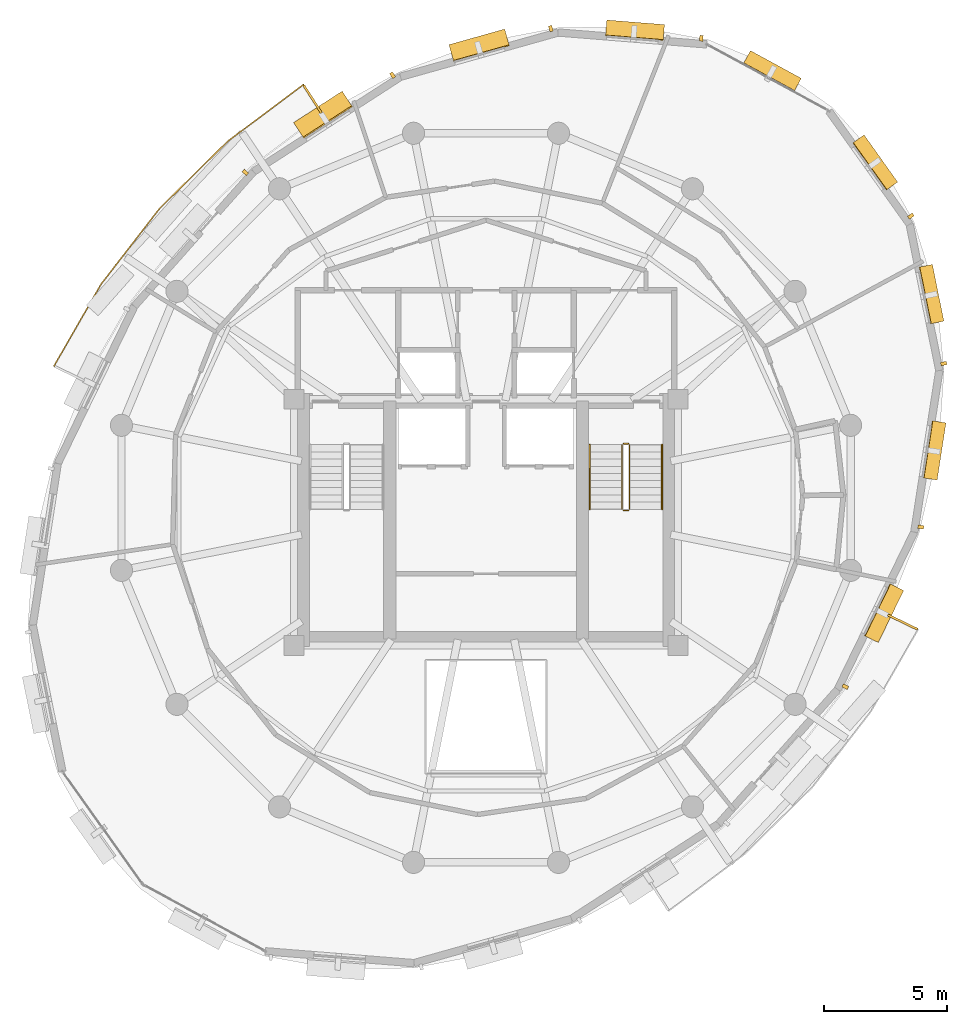
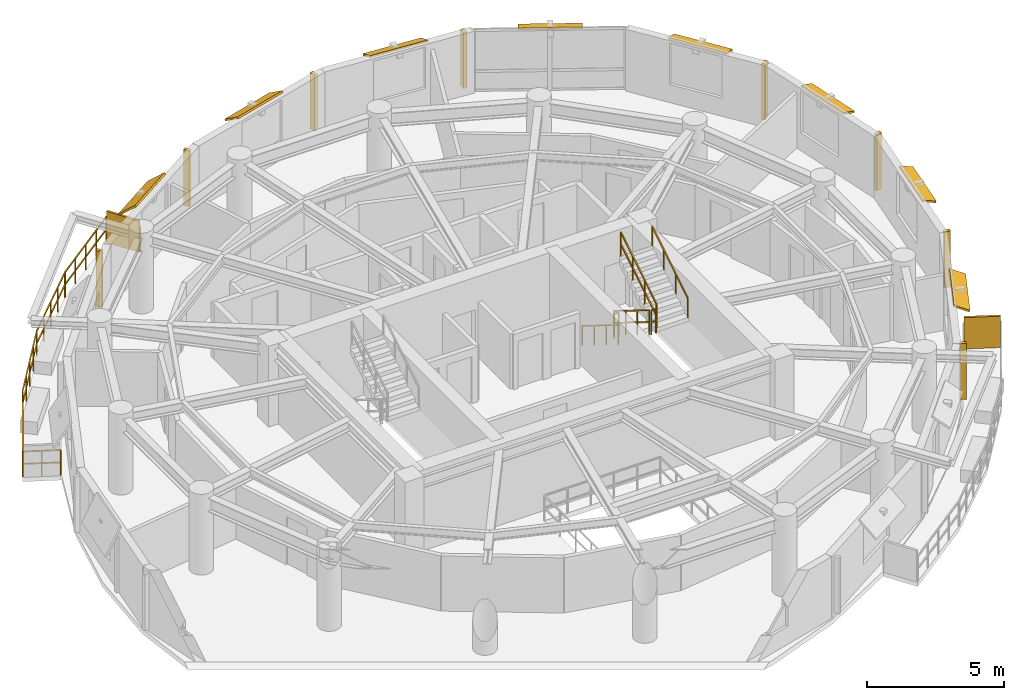
# One storey, part 11 of 11: 18 shading devices, 7 railings.
"""IFC4 building model written with IfcOpenShell, lengths in metres."""

from ifc_helpers import new_model, si_unit, direction, frame, origin, origin_2d, place, context, subcontext, project, spatial, rectangle, extrude, material, layer, layer_set, type_object, element, save


model = new_model("IFC4")

# Units and contexts
model_context = context("Model", 3, precision=1e-05, world=origin(), true_north=direction((0.0, 1.0)))
body_context = subcontext(model_context, "Body", "Model", "MODEL_VIEW")
ifc_project = project(units=[si_unit("LENGTHUNIT", "METRE"), si_unit("AREAUNIT", "SQUARE_METRE"), si_unit("VOLUMEUNIT", "CUBIC_METRE"), si_unit("PLANEANGLEUNIT", "RADIAN"), si_unit("MASSUNIT", "GRAM", prefix="KILO"), si_unit("THERMODYNAMICTEMPERATUREUNIT", "KELVIN"), si_unit("POWERUNIT", "WATT")], contexts=[model_context])

# Site, building, storey
site_placement = place(None, origin())
site = spatial("IfcSite", under=ifc_project, at=site_placement, CompositionType="ELEMENT")
building_placement = place(site_placement, origin())
building = spatial("IfcBuilding", under=site, at=building_placement, Name="Ocrelia Relay Tower", CompositionType="ELEMENT")
storey_placement = place(building_placement, frame((0.0, 0.0, 234.0)))
storey = spatial("IfcBuildingStorey", under=building, at=storey_placement, Name="L57", CompositionType="ELEMENT", Elevation=234.0)

# Railings
ifc_material_1 = material(Name="Steel S355 balustrade", Category="steel")
railing_type_1 = type_object("IfcRailingType", Name="RL-EXT-GUARD-1150", PredefinedType="GUARDRAIL", material=ifc_material_1)
railing_1_placement = place(storey_placement, frame((17.70068359375, 30.74609375, 0.0)))
element("IfcRailing", 1, at=railing_1_placement, inside=storey, type_object=railing_type_1, Name="L57 Loggia Balcony Guard Rail B1", PredefinedType="GUARDRAIL", context=body_context, shape_type="SweptSolid", body=[
    extrude(rectangle(XDim=0.048095703125, YDim=0.048095703125, at=origin_2d()), frame((0.0, 0.0, 1.1259765625), z_axis=(-0.899793261261, 0.436316498645, 0.0), x_axis=(-0.436316498645, -0.899793261261, 0.0)), (0.0, 0.0, 1.0), 1.393310546875),
    extrude(rectangle(XDim=0.048095703125, YDim=0.048095703125, at=origin_2d()), frame((0.0, 0.0, 0.574951171875), z_axis=(-0.899793261261, 0.436316498645, 0.0), x_axis=(-0.436316498645, -0.899793261261, 0.0)), (0.0, 0.0, 1.0), 1.393310546875),
    extrude(rectangle(XDim=0.048095703125, YDim=0.048095703125, at=origin_2d()), frame((-1.253662109375, 0.60791015625, 1.1259765625), z_axis=(0.498518886145, 0.866878838222, 0.0), x_axis=(-0.866878838222, 0.498518886145, 0.0)), (0.0, 0.0, 1.0), 1.920654296875),
    extrude(rectangle(XDim=0.048095703125, YDim=0.048095703125, at=origin_2d()), frame((-1.253662109375, 0.60791015625, 0.574951171875), z_axis=(0.498518886145, 0.866878838222, 0.0), x_axis=(-0.866878838222, 0.498518886145, 0.0)), (0.0, 0.0, 1.0), 1.920654296875),
    extrude(rectangle(XDim=0.048095703125, YDim=0.048095703125, at=origin_2d()), frame((-0.296142578125, 2.27294921875, 1.1259765625), z_axis=(0.498614396299, 0.866823905879, 0.0), x_axis=(-0.866823905879, 0.498614396299, 0.0)), (0.0, 0.0, 1.0), 1.9208984375),
    extrude(rectangle(XDim=0.048095703125, YDim=0.048095703125, at=origin_2d()), frame((-0.296142578125, 2.27294921875, 0.574951171875), z_axis=(0.498614396299, 0.866823905879, 0.0), x_axis=(-0.866823905879, 0.498614396299, 0.0)), (0.0, 0.0, 1.0), 1.9208984375),
    extrude(rectangle(XDim=0.048095703125, YDim=0.048095703125, at=origin_2d()), frame((0.66162109375, 3.93798828125, 1.1259765625), z_axis=(0.611569211269, 0.791190937655, 0.0), x_axis=(-0.791190937655, 0.611569211269, 0.0)), (0.0, 0.0, 1.0), 3.8818359375),
    extrude(rectangle(XDim=0.048095703125, YDim=0.048095703125, at=origin_2d()), frame((0.66162109375, 3.93798828125, 0.574951171875), z_axis=(0.611569211269, 0.791190937655, 0.0), x_axis=(-0.791190937655, 0.611569211269, 0.0)), (0.0, 0.0, 1.0), 3.8818359375),
    extrude(rectangle(XDim=0.048095703125, YDim=0.048095703125, at=origin_2d()), frame((3.03564453125, 7.00927734375, 1.1259765625), z_axis=(0.7119953063, 0.702184223553, 0.0), x_axis=(-0.702184223553, 0.7119953063, 0.0)), (0.0, 0.0, 1.0), 3.8818359375),
    extrude(rectangle(XDim=0.048095703125, YDim=0.048095703125, at=origin_2d()), frame((3.03564453125, 7.00927734375, 0.574951171875), z_axis=(0.7119953063, 0.702184223553, 0.0), x_axis=(-0.702184223553, 0.7119953063, 0.0)), (0.0, 0.0, 1.0), 3.8818359375),
    extrude(rectangle(XDim=0.048095703125, YDim=0.048095703125, at=origin_2d()), frame((5.799560546875, 9.735107421875, 1.1259765625), z_axis=(0.800685887632, 0.599084392508, 0.0), x_axis=(-0.599084392508, 0.800685887632, 0.0)), (0.0, 0.0, 1.0), 1.920654296875),
    extrude(rectangle(XDim=0.048095703125, YDim=0.048095703125, at=origin_2d()), frame((5.799560546875, 9.735107421875, 0.574951171875), z_axis=(0.800685887632, 0.599084392508, 0.0), x_axis=(-0.599084392508, 0.800685887632, 0.0)), (0.0, 0.0, 1.0), 1.920654296875),
    extrude(rectangle(XDim=0.048095703125, YDim=0.048095703125, at=origin_2d()), frame((7.33740234375, 10.8857421875, 1.1259765625), z_axis=(0.800624914682, 0.599165875188, 0.0), x_axis=(-0.599165875188, 0.800624914682, 0.0)), (0.0, 0.0, 1.0), 1.9208984375),
    extrude(rectangle(XDim=0.048095703125, YDim=0.048095703125, at=origin_2d()), frame((7.33740234375, 10.8857421875, 0.574951171875), z_axis=(0.800624914682, 0.599165875188, 0.0), x_axis=(-0.599165875188, 0.800624914682, 0.0)), (0.0, 0.0, 1.0), 1.9208984375),
    extrude(rectangle(XDim=0.048095703125, YDim=0.048095703125, at=origin_2d()), frame((8.875244140625, 12.03662109375, 1.1259765625), z_axis=(0.541244565297, -0.840865221386, 0.0), x_axis=(0.840865221386, 0.541244565297, 0.0)), (0.0, 0.0, 1.0), 1.393310546875),
    extrude(rectangle(XDim=0.048095703125, YDim=0.048095703125, at=origin_2d()), frame((8.875244140625, 12.03662109375, 0.574951171875), z_axis=(0.541244565297, -0.840865221386, 0.0), x_axis=(0.840865221386, 0.541244565297, 0.0)), (0.0, 0.0, 1.0), 1.393310546875),
    extrude(rectangle(XDim=0.0419921875, YDim=0.0419921875, at=origin_2d()), origin(), (0.0, 0.0, 1.0), 1.101806640625),
    extrude(rectangle(XDim=0.0419921875, YDim=0.0419921875, at=origin_2d()), frame((-0.626953125, 0.303955078125, 0.0)), (0.0, 0.0, 1.0), 1.101806640625),
    extrude(rectangle(XDim=0.0419921875, YDim=0.0419921875, at=origin_2d()), frame((-1.253662109375, 0.60791015625, 0.0)), (0.0, 0.0, 1.0), 1.101806640625),
    extrude(rectangle(XDim=0.0419921875, YDim=0.0419921875, at=origin_2d()), frame((-0.77490234375, 1.4404296875, 0.0)), (0.0, 0.0, 1.0), 1.101806640625),
    extrude(rectangle(XDim=0.0419921875, YDim=0.0419921875, at=origin_2d()), frame((-0.296142578125, 2.27294921875, 0.0)), (0.0, 0.0, 1.0), 1.101806640625),
    extrude(rectangle(XDim=0.0419921875, YDim=0.0419921875, at=origin_2d()), frame((0.1826171875, 3.10546875, 0.0)), (0.0, 0.0, 1.0), 1.101806640625),
    extrude(rectangle(XDim=0.0419921875, YDim=0.0419921875, at=origin_2d()), frame((0.66162109375, 3.93798828125, 0.0)), (0.0, 0.0, 1.0), 1.101806640625),
    extrude(rectangle(XDim=0.0419921875, YDim=0.0419921875, at=origin_2d()), frame((1.255126953125, 4.705810546875, 0.0)), (0.0, 0.0, 1.0), 1.101806640625),
    extrude(rectangle(XDim=0.0419921875, YDim=0.0419921875, at=origin_2d()), frame((1.8486328125, 5.4736328125, 0.0)), (0.0, 0.0, 1.0), 1.101806640625),
    extrude(rectangle(XDim=0.0419921875, YDim=0.0419921875, at=origin_2d()), frame((2.442138671875, 6.241455078125, 0.0)), (0.0, 0.0, 1.0), 1.101806640625),
    extrude(rectangle(XDim=0.0419921875, YDim=0.0419921875, at=origin_2d()), frame((3.03564453125, 7.00927734375, 0.0)), (0.0, 0.0, 1.0), 1.101806640625),
    extrude(rectangle(XDim=0.0419921875, YDim=0.0419921875, at=origin_2d()), frame((3.7265625, 7.690673828125, 0.0)), (0.0, 0.0, 1.0), 1.101806640625),
    extrude(rectangle(XDim=0.0419921875, YDim=0.0419921875, at=origin_2d()), frame((4.41748046875, 8.3720703125, 0.0)), (0.0, 0.0, 1.0), 1.101806640625),
    extrude(rectangle(XDim=0.0419921875, YDim=0.0419921875, at=origin_2d()), frame((5.108642578125, 9.0537109375, 0.0)), (0.0, 0.0, 1.0), 1.101806640625),
    extrude(rectangle(XDim=0.0419921875, YDim=0.0419921875, at=origin_2d()), frame((5.799560546875, 9.735107421875, 0.0)), (0.0, 0.0, 1.0), 1.101806640625),
    extrude(rectangle(XDim=0.0419921875, YDim=0.0419921875, at=origin_2d()), frame((6.568359375, 10.310546875, 0.0)), (0.0, 0.0, 1.0), 1.101806640625),
    extrude(rectangle(XDim=0.0419921875, YDim=0.0419921875, at=origin_2d()), frame((7.33740234375, 10.8857421875, 0.0)), (0.0, 0.0, 1.0), 1.101806640625),
    extrude(rectangle(XDim=0.0419921875, YDim=0.0419921875, at=origin_2d()), frame((8.1064453125, 11.461181640625, 0.0)), (0.0, 0.0, 1.0), 1.101806640625),
    extrude(rectangle(XDim=0.0419921875, YDim=0.0419921875, at=origin_2d()), frame((8.875244140625, 12.03662109375, 0.0)), (0.0, 0.0, 1.0), 1.101806640625),
    extrude(rectangle(XDim=0.0419921875, YDim=0.0419921875, at=origin_2d()), frame((9.25244140625, 11.45068359375, 0.0)), (0.0, 0.0, 1.0), 1.101806640625),
    extrude(rectangle(XDim=0.0419921875, YDim=0.0419921875, at=origin_2d()), frame((9.62939453125, 10.864990234375, 0.0)), (0.0, 0.0, 1.0), 1.101806640625),
])
railing_type_2 = type_object("IfcRailingType", Name="RL-STAIR-GUARD", PredefinedType="GUARDRAIL", material=ifc_material_1)
railing_2_placement = place(storey_placement, frame((39.530029296875, 28.14990234375, 0.179931640625)))
element("IfcRailing", 2, at=railing_2_placement, inside=storey, type_object=railing_type_2, Name="L57 ST2 stair guard 1", PredefinedType="GUARDRAIL", context=body_context, shape_type="SweptSolid", body=[
    extrude(rectangle(XDim=0.048095703125, YDim=0.048095703125, at=origin_2d()), frame((0.0, 0.0, 1.076171875), z_axis=(0.0, -0.849610693518, 0.52741034258), x_axis=(1.0, 0.0, 0.0)), (0.0, 0.0, 1.0), 3.07177734375),
    extrude(rectangle(XDim=0.048095703125, YDim=0.048095703125, at=origin_2d()), frame((0.0, 0.0, 0.550048828125), z_axis=(0.0, -0.849610693518, 0.52741034258), x_axis=(1.0, 0.0, 0.0)), (0.0, 0.0, 1.0), 3.07177734375),
    extrude(rectangle(XDim=0.0419921875, YDim=0.0419921875, at=origin_2d()), origin(), (0.0, 0.0, 1.0), 1.052001953125),
    extrude(rectangle(XDim=0.0419921875, YDim=0.0419921875, at=origin_2d()), frame((0.0, -0.869873046875, 0.5400390625)), (0.0, 0.0, 1.0), 1.052001953125),
    extrude(rectangle(XDim=0.0419921875, YDim=0.0419921875, at=origin_2d()), frame((0.0, -1.739990234375, 1.080078125)), (0.0, 0.0, 1.0), 1.052001953125),
    extrude(rectangle(XDim=0.0419921875, YDim=0.0419921875, at=origin_2d()), frame((0.0, -2.60986328125, 1.6201171875)), (0.0, 0.0, 1.0), 1.052001953125),
])
railing_3_placement = place(storey_placement, frame((39.580078125, 25.489990234375, 1.800048828125)))
element("IfcRailing", 3, at=railing_3_placement, inside=storey, type_object=railing_type_2, Name="L57 ST2 stair guard 2", PredefinedType="GUARDRAIL", context=body_context, shape_type="SweptSolid", body=[
    extrude(rectangle(XDim=0.048095703125, YDim=0.048095703125, at=origin_2d()), frame((0.0, 0.0, 1.076171875), z_axis=(1.0, 0.0, 0.0), x_axis=(0.0, 1.0, 0.0)), (0.0, 0.0, 1.0), 0.199951171875),
    extrude(rectangle(XDim=0.048095703125, YDim=0.048095703125, at=origin_2d()), frame((0.0, 0.0, 0.550048828125), z_axis=(1.0, 0.0, 0.0), x_axis=(0.0, 1.0, 0.0)), (0.0, 0.0, 1.0), 0.199951171875),
    extrude(rectangle(XDim=0.0419921875, YDim=0.0419921875, at=origin_2d()), origin(), (0.0, 0.0, 1.0), 1.052001953125),
    extrude(rectangle(XDim=0.0419921875, YDim=0.0419921875, at=origin_2d()), frame((0.199951171875, 0.0, 0.0)), (0.0, 0.0, 1.0), 1.052001953125),
])
railing_4_placement = place(storey_placement, frame((39.830078125, 25.5400390625, 1.97998046875)))
element("IfcRailing", 4, at=railing_4_placement, inside=storey, type_object=railing_type_2, Name="L57 ST2 stair guard 3", PredefinedType="GUARDRAIL", context=body_context, shape_type="SweptSolid", body=[
    extrude(rectangle(XDim=0.048095703125, YDim=0.048095703125, at=origin_2d()), frame((0.0, 0.0, 1.076171875), z_axis=(0.0, 0.849610693518, 0.52741034258), x_axis=(-1.0, 0.0, 0.0)), (0.0, 0.0, 1.0), 3.07177734375),
    extrude(rectangle(XDim=0.048095703125, YDim=0.048095703125, at=origin_2d()), frame((0.0, 0.0, 0.550048828125), z_axis=(0.0, 0.849610693518, 0.52741034258), x_axis=(-1.0, 0.0, 0.0)), (0.0, 0.0, 1.0), 3.07177734375),
    extrude(rectangle(XDim=0.0419921875, YDim=0.0419921875, at=origin_2d()), origin(), (0.0, 0.0, 1.0), 1.052001953125),
    extrude(rectangle(XDim=0.0419921875, YDim=0.0419921875, at=origin_2d()), frame((0.0, 0.869873046875, 0.5400390625)), (0.0, 0.0, 1.0), 1.052001953125),
    extrude(rectangle(XDim=0.0419921875, YDim=0.0419921875, at=origin_2d()), frame((0.0, 1.739990234375, 1.080078125)), (0.0, 0.0, 1.0), 1.052001953125),
    extrude(rectangle(XDim=0.0419921875, YDim=0.0419921875, at=origin_2d()), frame((0.0, 2.60986328125, 1.6201171875)), (0.0, 0.0, 1.0), 1.052001953125),
])
railing_5_placement = place(storey_placement, frame((39.580078125, 28.199951171875, 0.0)))
element("IfcRailing", 5, at=railing_5_placement, inside=storey, type_object=railing_type_2, Name="L57 ST2 stair guard 4", PredefinedType="GUARDRAIL", context=body_context, shape_type="SweptSolid", body=[
    extrude(rectangle(XDim=0.048095703125, YDim=0.048095703125, at=origin_2d()), frame((0.0, 0.0, 1.076171875), z_axis=(1.0, 0.0, 0.0), x_axis=(0.0, 1.0, 0.0)), (0.0, 0.0, 1.0), 0.199951171875),
    extrude(rectangle(XDim=0.048095703125, YDim=0.048095703125, at=origin_2d()), frame((0.0, 0.0, 0.550048828125), z_axis=(1.0, 0.0, 0.0), x_axis=(0.0, 1.0, 0.0)), (0.0, 0.0, 1.0), 0.199951171875),
    extrude(rectangle(XDim=0.0419921875, YDim=0.0419921875, at=origin_2d()), origin(), (0.0, 0.0, 1.0), 1.052001953125),
    extrude(rectangle(XDim=0.0419921875, YDim=0.0419921875, at=origin_2d()), frame((0.199951171875, 0.0, 0.0)), (0.0, 0.0, 1.0), 1.052001953125),
])
ifc_material_2 = material(Name="Steel S355 tubular handrail", Category="steel")
railing_type_3 = type_object("IfcRailingType", Name="RL-STAIR-HAND", PredefinedType="HANDRAIL", material=ifc_material_2)
railing_6_placement = place(storey_placement, frame((38.2099609375, 28.14990234375, 0.179931640625)))
element("IfcRailing", 6, at=railing_6_placement, inside=storey, type_object=railing_type_3, Name="L57 ST2 stair handrail 1", PredefinedType="HANDRAIL", context=body_context, shape_type="SweptSolid", body=[
    extrude(rectangle(XDim=0.048095703125, YDim=0.048095703125, at=origin_2d()), frame((0.0, 0.0, 0.8759765625), z_axis=(0.0, -0.849610693518, 0.52741034258), x_axis=(1.0, 0.0, 0.0)), (0.0, 0.0, 1.0), 3.07177734375),
    extrude(rectangle(XDim=0.0419921875, YDim=0.0419921875, at=origin_2d()), origin(), (0.0, 0.0, 1.0), 0.851806640625),
    extrude(rectangle(XDim=0.0419921875, YDim=0.0419921875, at=origin_2d()), frame((0.0, -0.869873046875, 0.5400390625)), (0.0, 0.0, 1.0), 0.851806640625),
    extrude(rectangle(XDim=0.0419921875, YDim=0.0419921875, at=origin_2d()), frame((0.0, -1.739990234375, 1.080078125)), (0.0, 0.0, 1.0), 0.851806640625),
    extrude(rectangle(XDim=0.0419921875, YDim=0.0419921875, at=origin_2d()), frame((0.0, -2.60986328125, 1.6201171875)), (0.0, 0.0, 1.0), 0.851806640625),
])
railing_7_placement = place(storey_placement, frame((41.14990234375, 25.5400390625, 1.97998046875)))
element("IfcRailing", 7, at=railing_7_placement, inside=storey, type_object=railing_type_3, Name="L57 ST2 stair handrail 2", PredefinedType="HANDRAIL", context=body_context, shape_type="SweptSolid", body=[
    extrude(rectangle(XDim=0.048095703125, YDim=0.048095703125, at=origin_2d()), frame((0.0, 0.0, 0.8759765625), z_axis=(0.0, 0.849610693518, 0.52741034258), x_axis=(-1.0, 0.0, 0.0)), (0.0, 0.0, 1.0), 3.07177734375),
    extrude(rectangle(XDim=0.0419921875, YDim=0.0419921875, at=origin_2d()), origin(), (0.0, 0.0, 1.0), 0.851806640625),
    extrude(rectangle(XDim=0.0419921875, YDim=0.0419921875, at=origin_2d()), frame((0.0, 0.869873046875, 0.5400390625)), (0.0, 0.0, 1.0), 0.851806640625),
    extrude(rectangle(XDim=0.0419921875, YDim=0.0419921875, at=origin_2d()), frame((0.0, 1.739990234375, 1.080078125)), (0.0, 0.0, 1.0), 0.851806640625),
    extrude(rectangle(XDim=0.0419921875, YDim=0.0419921875, at=origin_2d()), frame((0.0, 2.60986328125, 1.6201171875)), (0.0, 0.0, 1.0), 0.851806640625),
])

# Shading devices
ifc_material_3 = material(Name="Perforated oxide terracotta solar screen", Category="masonry")
ifc_layer_1 = layer(ifc_material_3, 0.090087890625, Name="Perforated oxide terracotta solar screen")
ifc_layer_set_1 = layer_set([ifc_layer_1], Name="Perforated oxide terracotta solar screen")
shading_device_type_1 = type_object("IfcShadingDeviceType", Name="SH-BALC-SCREEN", PredefinedType="USERDEFINED", material=ifc_layer_set_1)
for number, where, z_axis, x_axis, name in (
    (8, (26.952880859375, 42.19677734375, 0.0), (0.0, 0.0, 1.0), (-0.541247155761, 0.840863553961, 0.0), "L57 Balcony Perforated Terracotta Screen B1-1"),
    (9, (50.92626953125, 20.949951171875, 0.0), (0.0, 0.0, 1.0), (0.899786786798, -0.436329850346, 0.0), "L57 Balcony Perforated Terracotta Screen B2-2"),
):
    element("IfcShadingDevice", number, at=place(storey_placement, frame(where, z_axis=z_axis, x_axis=x_axis)), inside=storey, type_object=shading_device_type_1, Name=name, ObjectType="SCREEN", PredefinedType="USERDEFINED", context=body_context, shape_type="SweptSolid", body=[
        extrude(rectangle(XDim=1.340087890625, YDim=0.090087890625, at=origin_2d()), origin(), (0.0, 0.0, 1.0), 1.39990234375),
    ])
ifc_material_4 = material(Name="Extruded oxide terracotta vertical baguette", Category="masonry")
shading_device_type_2 = type_object("IfcShadingDeviceType", Name="SH-TERR-BAGUETTE", PredefinedType="USERDEFINED", material=ifc_material_4)
for number, where, z_axis, x_axis, name in (
    (10, (42.746826171875, 44.6689453125, 0.1298828125), (0.0, 0.0, 1.0), (-0.996824556045, 0.079629168433, 0.0), "L57 Oxide Terracotta Vertical Baguette 02"),
    (11, (36.6318359375, 45.059814453125, 0.1298828125), (0.0, 0.0, 1.0), (-0.962711114518, -0.270531532328, 0.0), "L57 Oxide Terracotta Vertical Baguette 03"),
    (12, (30.203369140625, 43.1689453125, 0.1298828125), (0.0, 0.0, 1.0), (-0.840008417794, -0.5425733665, 0.0), "L57 Oxide Terracotta Vertical Baguette 04"),
    (13, (24.2216796875, 39.218505859375, 0.1298828125), (0.0, 0.0, 1.0), (-0.663272087012, -0.748378339204, 0.0), "L57 Oxide Terracotta Vertical Baguette 05"),
    (14, (48.59619140625, 18.32763671875, 0.1298828125), (0.0, 0.0, 1.0), (0.43772709063, 0.899107887925, 0.0), "L57 Oxide Terracotta Vertical Baguette 15"),
    (15, (51.6630859375, 24.81201171875, 0.1298828125), (0.0, 0.0, 1.0), (0.15292245042, 0.988238192015, 0.0), "L57 Oxide Terracotta Vertical Baguette 16"),
    (16, (52.592529296875, 31.455810546875, 0.1298828125), (0.0, 0.0, 1.0), (-0.198818312079, 0.980036366051, 0.0), "L57 Oxide Terracotta Vertical Baguette 17"),
    (17, (51.257568359375, 37.444580078125, 0.1298828125), (0.0, 0.0, 1.0), (-0.580677214758, 0.814133878585, 0.0), "L57 Oxide Terracotta Vertical Baguette 18"),
):
    element("IfcShadingDevice", number, at=place(storey_placement, frame(where, z_axis=z_axis, x_axis=x_axis)), inside=storey, type_object=shading_device_type_2, Name=name, ObjectType="BAGUETTE", PredefinedType="USERDEFINED", context=body_context, shape_type="SweptSolid", body=[
        extrude(rectangle(XDim=0.139892578125, YDim=0.239990234375, at=origin_2d()), origin(), (0.0, 0.0, 1.0), 2.5),
    ])
ifc_material_5 = material(Name="Extruded oxide terracotta fin", Category="masonry")
ifc_layer_2 = layer(ifc_material_5, 0.080078125, Name="Extruded oxide terracotta fin")
ifc_layer_set_2 = layer_set([ifc_layer_2], Name="Extruded oxide terracotta fin")
shading_device_type_3 = type_object("IfcShadingDeviceType", Name="SH-VISOR-FIN-MED", PredefinedType="USERDEFINED", material=ifc_layer_set_2)
shading_device_1_placement = place(storey_placement, frame((33.7275390625, 44.364013671875, 2.566162109375), z_axis=(-0.144119878896, 0.512863724397, 0.846286157694), x_axis=(-0.962711114518, -0.270531532328, 0.0)))
element("IfcShadingDevice", 18, at=shading_device_1_placement, inside=storey, type_object=shading_device_type_3, Name="L57 Canted Terracotta Sun-Visor Fin 03", ObjectType="FIN", PredefinedType="USERDEFINED", context=body_context, shape_type="SweptSolid", body=[
    extrude(rectangle(XDim=2.35009765625, YDim=0.785888671875, at=origin_2d()), origin(), (0.0, 0.0, 1.0), 0.080078125),
])
shading_device_2_placement = place(storey_placement, frame((27.390380859375, 41.5419921875, 2.570068359375), z_axis=(-0.35731610104, 0.553194371893, 0.752529860433), x_axis=(-0.840008417794, -0.5425733665, 0.0)))
element("IfcShadingDevice", 19, at=shading_device_2_placement, inside=storey, type_object=shading_device_type_3, Name="L57 Canted Terracotta Sun-Visor Fin 04", ObjectType="FIN", PredefinedType="USERDEFINED", context=body_context, shape_type="SweptSolid", body=[
    extrude(rectangle(XDim=2.35009765625, YDim=0.93603515625, at=origin_2d()), origin(), (0.0, 0.0, 1.0), 0.080078125),
])
ifc_layer_3 = layer(ifc_material_5, 0.080078125, Name="Extruded oxide terracotta fin")
ifc_layer_set_3 = layer_set([ifc_layer_3], Name="Extruded oxide terracotta fin")
shading_device_type_4 = type_object("IfcShadingDeviceType", Name="SH-VISOR-FIN-SHAL", PredefinedType="USERDEFINED", material=ifc_layer_set_3)
shading_device_3_placement = place(storey_placement, frame((45.625, 43.32958984375, 2.562744140625), z_axis=(0.175121664841, 0.321216101132, 0.930673207349), x_axis=(-0.877995656301, 0.478668598842, 0.0)))
element("IfcShadingDevice", 20, at=shading_device_3_placement, inside=storey, type_object=shading_device_type_4, Name="L57 Canted Terracotta Sun-Visor Fin 01", ObjectType="FIN", PredefinedType="USERDEFINED", context=body_context, shape_type="SweptSolid", body=[
    extrude(rectangle(XDim=2.35009765625, YDim=0.60791015625, at=origin_2d()), origin(), (0.0, 0.0, 1.0), 0.080078125),
])
shading_device_4_placement = place(storey_placement, frame((40.05126953125, 44.97802734375, 2.56396484375), z_axis=(0.03456947682, 0.432752269833, 0.900849834449), x_axis=(-0.996824556045, 0.079629168433, 0.0)))
element("IfcShadingDevice", 21, at=shading_device_4_placement, inside=storey, type_object=shading_device_type_4, Name="L57 Canted Terracotta Sun-Visor Fin 02", ObjectType="FIN", PredefinedType="USERDEFINED", context=body_context, shape_type="SweptSolid", body=[
    extrude(rectangle(XDim=2.35009765625, YDim=0.678955078125, at=origin_2d()), origin(), (0.0, 0.0, 1.0), 0.080078125),
])
shading_device_5_placement = place(storey_placement, frame((50.1552734375, 21.3232421875, 2.5634765625), z_axis=(0.364696351418, -0.177550964699, 0.914041698281), x_axis=(0.43772709063, 0.899107887925, 0.0)))
element("IfcShadingDevice", 22, at=shading_device_5_placement, inside=storey, type_object=shading_device_type_4, Name="L57 Canted Terracotta Sun-Visor Fin 15", ObjectType="FIN", PredefinedType="USERDEFINED", context=body_context, shape_type="SweptSolid", body=[
    extrude(rectangle(XDim=2.35009765625, YDim=0.64892578125, at=origin_2d()), origin(), (0.0, 0.0, 1.0), 0.080078125),
])
shading_device_6_placement = place(storey_placement, frame((52.212158203125, 27.927978515625, 2.562255859375), z_axis=(0.32662694589, -0.050543070833, 0.943800951583), x_axis=(0.15292245042, 0.988238192015, 0.0)))
element("IfcShadingDevice", 23, at=shading_device_6_placement, inside=storey, type_object=shading_device_type_4, Name="L57 Canted Terracotta Sun-Visor Fin 16", ObjectType="FIN", PredefinedType="USERDEFINED", context=body_context, shape_type="SweptSolid", body=[
    extrude(rectangle(XDim=2.35009765625, YDim=0.572021484375, at=origin_2d()), origin(), (0.0, 0.0, 1.0), 0.080078125),
])
shading_device_7_placement = place(storey_placement, frame((52.085693359375, 34.2734375, 2.56201171875), z_axis=(0.302847892215, 0.061438237225, 0.951056516295), x_axis=(-0.198818312079, 0.980036366051, 0.0)))
element("IfcShadingDevice", 24, at=shading_device_7_placement, inside=storey, type_object=shading_device_type_4, Name="L57 Canted Terracotta Sun-Visor Fin 17", ObjectType="FIN", PredefinedType="USERDEFINED", context=body_context, shape_type="SweptSolid", body=[
    extrude(rectangle(XDim=2.35009765625, YDim=0.550048828125, at=origin_2d()), origin(), (0.0, 0.0, 1.0), 0.080078125),
])
shading_device_8_placement = place(storey_placement, frame((49.7998046875, 39.615966796875, 2.562255859375), z_axis=(0.263712144019, 0.188091464211, 0.946085358828), x_axis=(-0.580677214758, 0.814133878585, 0.0)))
element("IfcShadingDevice", 25, at=shading_device_8_placement, inside=storey, type_object=shading_device_type_4, Name="L57 Canted Terracotta Sun-Visor Fin 18", ObjectType="FIN", PredefinedType="USERDEFINED", context=body_context, shape_type="SweptSolid", body=[
    extrude(rectangle(XDim=2.35009765625, YDim=0.56494140625, at=origin_2d()), origin(), (0.0, 0.0, 1.0), 0.080078125),
])

save(model, "model.ifc")
